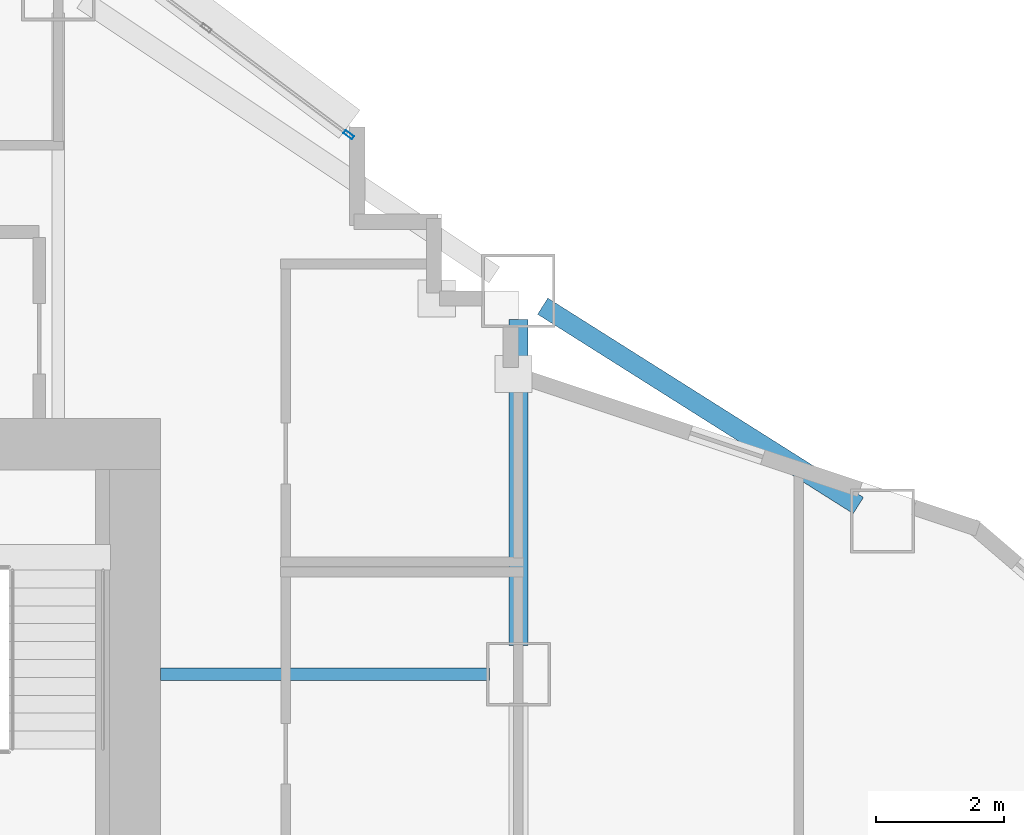
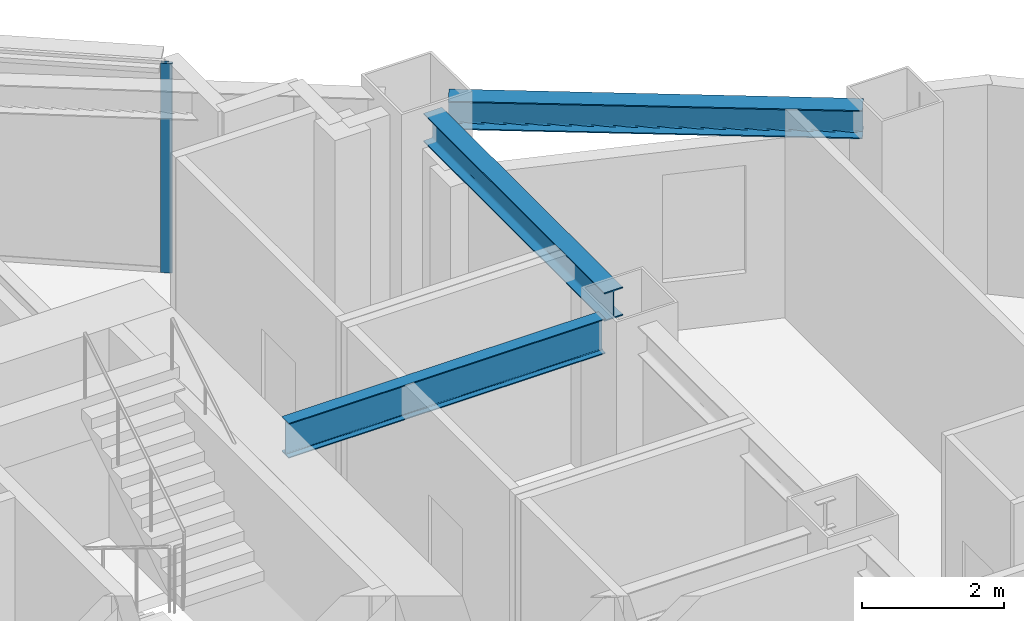
# One storey, part 4 of 17: 3 beams, 1 member, 1 element without a shape of its own.
"""IFC4 building model written with IfcOpenShell, lengths in metres."""

from ifc_helpers import new_model, si_unit, direction, frame, origin, origin_2d, place, context, subcontext, project, spatial, hollow_rectangle, i_section, extrude, material, layer, layer_set, material_profile, profile_set, type_object, element, aggregate, save


model = new_model("IFC4")

# Units and contexts
model_context = context("Model", 3, precision=1e-05, world=origin(), true_north=direction((0.0, 1.0)))
body_context = subcontext(model_context, "Body", "Model", "MODEL_VIEW")
ifc_project = project(units=[si_unit("LENGTHUNIT", "METRE"), si_unit("AREAUNIT", "SQUARE_METRE"), si_unit("VOLUMEUNIT", "CUBIC_METRE"), si_unit("PLANEANGLEUNIT", "RADIAN"), si_unit("MASSUNIT", "GRAM", prefix="KILO")], contexts=[model_context])

# Site, building, storey
site_placement = place(None, origin())
site = spatial("IfcSite", under=ifc_project, at=site_placement, CompositionType="ELEMENT")
building_placement = place(site_placement, origin())
building = spatial("IfcBuilding", under=site, at=building_placement, Name="Haolan Belvedere Tower", CompositionType="ELEMENT")
storey_placement = place(building_placement, frame((0.0, 0.0, 55.199951171875)))
storey = spatial("IfcBuildingStorey", under=building, at=storey_placement, Name="L13", CompositionType="ELEMENT", Elevation=55.199951171875)

# Beams
ifc_material_1 = material(Name="Steel Q355B", Category="steel")
ifc_material_profile_1 = material_profile(ifc_material_1, i_section(OverallWidth=0.300048828125, OverallDepth=0.488037109375, WebThickness=0.010986328125, FlangeThickness=0.01806640625, FilletRadius=0.02587890625, at=origin_2d()), Name="Steel Q355B")
ifc_profile_set_1 = profile_set([ifc_material_profile_1], Name="Steel Q355B")
beam_type_1 = type_object("IfcBeamType", Name="BM-HM488x300x11x18", PredefinedType="SPANDREL", material=ifc_profile_set_1)
beam_1_placement = place(storey_placement, frame((52.800048828125, 40.050048828125, 3.35595703125), z_axis=(0.0, 1.0, 0.0), x_axis=(-1.0, 0.0, 0.0)))
element("IfcBeam", 1, at=beam_1_placement, inside=storey, type_object=beam_type_1, Name="L13 spandrel girder TC-T3-E2-MC-T3-NE", PredefinedType="SPANDREL", context=body_context, shape_type="SweptSolid", body=[
    extrude(i_section(OverallWidth=0.300048828125, OverallDepth=0.488037109375, WebThickness=0.010986328125, FlangeThickness=0.01806640625, FilletRadius=0.02587890625, at=origin_2d()), origin(), (0.0, 0.0, 1.0), 5.099853515625),
])
beam_2_placement = place(storey_placement, frame((53.180419921875, 45.359619140625, 3.35595703125), z_axis=(0.845497840649, -0.533978839898, 0.0), x_axis=(0.533978839898, 0.845497840649, 0.0)))
element("IfcBeam", 2, at=beam_2_placement, inside=storey, type_object=beam_type_1, Name="L13 spandrel girder MC-T3-NE-TC-T4-N1", PredefinedType="SPANDREL", context=body_context, shape_type="SweptSolid", body=[
    extrude(i_section(OverallWidth=0.300048828125, OverallDepth=0.488037109375, WebThickness=0.010986328125, FlangeThickness=0.01806640625, FilletRadius=0.02587890625, at=origin_2d()), origin(), (0.0, 0.0, 1.0), 5.841796875),
])
ifc_material_profile_2 = material_profile(ifc_material_1, i_section(OverallWidth=0.199951171875, OverallDepth=0.60009765625, WebThickness=0.010986328125, FlangeThickness=0.01708984375, FilletRadius=0.02197265625, at=origin_2d()), Name="Steel Q355B")
ifc_profile_set_2 = profile_set([ifc_material_profile_2], Name="Steel Q355B")
beam_type_2 = type_object("IfcBeamType", Name="BM-HN600x200x11x17", PredefinedType="BEAM", material=ifc_profile_set_2)
beam_3_placement = place(storey_placement, frame((52.35009765625, 39.60009765625, 3.300048828125), z_axis=(-1.0, 0.0, 0.0), x_axis=(0.0, -1.0, 0.0)))
element("IfcBeam", 3, at=beam_3_placement, inside=storey, type_object=beam_type_2, Name="L13 core tie beam from TC-T3-E2", PredefinedType="BEAM", context=body_context, shape_type="SweptSolid", body=[
    extrude(i_section(OverallWidth=0.199951171875, OverallDepth=0.60009765625, WebThickness=0.010986328125, FlangeThickness=0.01708984375, FilletRadius=0.02197265625, at=origin_2d()), origin(), (0.0, 0.0, 1.0), 5.150146484375),
])

# Curtain wall, member
ifc_material_2 = material(Name="Anodised champagne-silver aluminium 6063-T6 and Low-E glass", Category="aluminium")
ifc_layer = layer(ifc_material_2, 0.1650390625, Name="Anodised champagne-silver aluminium 6063-T6 and Low-E glass")
ifc_layer_set = layer_set([ifc_layer], Name="Anodised champagne-silver aluminium 6063-T6 and Low-E glass")
curtain_wall_type = type_object("IfcCurtainWallType", Name="CW-SYS-02", PredefinedType="NOTDEFINED", material=ifc_layer_set)
curtain_wall_placement = place(storey_placement, origin())
curtain_wall = element("IfcCurtainWall", 4, at=curtain_wall_placement, inside=storey, type_object=curtain_wall_type, Name="L13 CW-SYS-02 ribbon curtain wall 41.1", PredefinedType="NOTDEFINED")
ifc_material_3 = material(Name="Anodised aluminium 6063-T6", Category="aluminium")
ifc_material_profile_3 = material_profile(ifc_material_3, hollow_rectangle(XDim=0.06005859375, YDim=0.1650390625, WallThickness=0.00390625, at=origin_2d()), Name="Anodised aluminium 6063-T6")
ifc_profile_set_3 = profile_set([ifc_material_profile_3], Name="Anodised aluminium 6063-T6")
member_type = type_object("IfcMemberType", Name="CW-SYS-02-MUL", PredefinedType="MULLION", material=ifc_profile_set_3)
member_placement = place(storey_placement, frame((50.14404296875, 48.0419921875, 0.0), z_axis=(0.0, 0.0, 1.0), x_axis=(-0.599994316874, -0.800004262313, 0.0)))
member = element("IfcMember", 5, at=member_placement, type_object=member_type, Name="CW-02 mullion 1", PredefinedType="MULLION", context=body_context, shape_type="SweptSolid", body=[
    extrude(hollow_rectangle(XDim=0.06005859375, YDim=0.1650390625, WallThickness=0.00390625, at=origin_2d()), origin(), (0.0, 0.0, 1.0), 3.60009765625),
])
aggregate(curtain_wall, [member])

save(model, "model.ifc")
